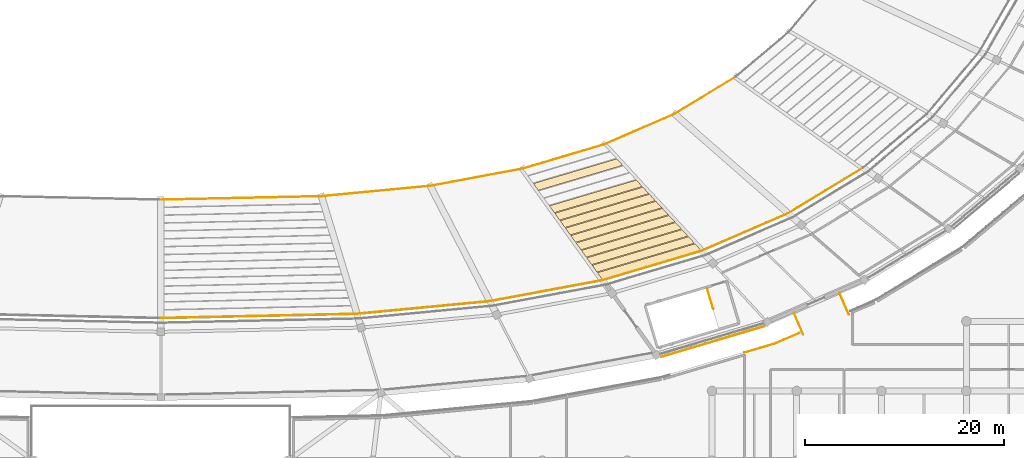
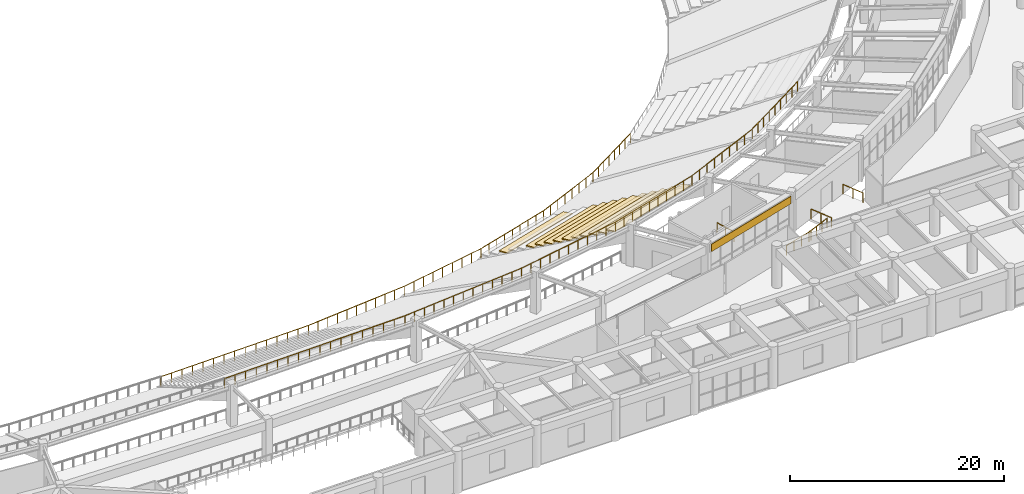
# One storey, part 124 of 137: 12 coverings, 6 railings.
"""IFC4 building model written with IfcOpenShell, lengths in metres."""

from ifc_helpers import new_model, si_unit, direction, frame, origin, origin_2d, place, context, subcontext, project, spatial, polyline, rectangle, circle, outline, extrude, material, layer, layer_set, type_object, element, save


model = new_model("IFC4")

# Units and contexts
model_context = context("Model", 3, precision=1e-05, world=origin(), true_north=direction((0.0, 1.0)))
body_context = subcontext(model_context, "Body", "Model", "MODEL_VIEW")
ifc_project = project(units=[si_unit("LENGTHUNIT", "METRE"), si_unit("AREAUNIT", "SQUARE_METRE"), si_unit("VOLUMEUNIT", "CUBIC_METRE"), si_unit("PLANEANGLEUNIT", "RADIAN"), si_unit("MASSUNIT", "GRAM", prefix="KILO")], contexts=[model_context])

# Site, building, storey
site_placement = place(None, origin())
site = spatial("IfcSite", under=ifc_project, at=site_placement, CompositionType="ELEMENT")
building_placement = place(site_placement, origin())
building = spatial("IfcBuilding", under=site, at=building_placement, Name="Mphavela Belvedere Stadium", CompositionType="ELEMENT")
storey_placement = place(building_placement, frame((0.0, 0.0, 19.199951171875)))
storey = spatial("IfcBuildingStorey", under=building, at=storey_placement, Name="L04", CompositionType="ELEMENT", Elevation=19.199951171875)

# Coverings
ifc_material_1 = material(Name="Carved classical limestone entablature frieze cladding", Category="masonry")
ifc_layer_1 = layer(ifc_material_1, 0.06005859375)
ifc_layer_set_1 = layer_set([ifc_layer_1], Name="Carved classical limestone entablature frieze cladding")
covering_type_1 = type_object("IfcCoveringType", Name="COV-FRIEZE-CLAD", PredefinedType="CLADDING", material=ifc_layer_set_1)
covering_1_placement = place(storey_placement, frame((170.46044921875, 18.94921875, 3.594970703125), z_axis=(0.0, 0.0, 1.0), x_axis=(0.958670893355, 0.284517342588, 0.0)))
element("IfcCovering", 1, at=covering_1_placement, inside=storey, type_object=covering_type_1, Name="Classical entablature frieze cladding L04-40", PredefinedType="CLADDING", context=body_context, shape_type="SweptSolid", body=[
    extrude(rectangle(XDim=10.82080078125, YDim=0.06005859375, at=origin_2d()), origin(), (0.0, 0.0, 1.0), 0.85009765625),
])
ifc_material_2 = material(Name="Precast seating row terrazzo finish", Category="concrete")
ifc_layer_2 = layer(ifc_material_2, 0.1201171875)
ifc_layer_set_2 = layer_set([ifc_layer_2], Name="Precast seating row terrazzo finish")
covering_type_2 = type_object("IfcCoveringType", Name="COV-SEAT-ROW-U", PredefinedType="FLOORING", material=ifc_layer_set_2)
covering_2_placement = place(storey_placement, frame((0.0, 0.0, -2.469970703125)))
element("IfcCovering", 2, at=covering_2_placement, inside=storey, type_object=covering_type_2, Name="Upper stand seating row bench B40-R03", PredefinedType="FLOORING", context=body_context, shape_type="SweptSolid", body=[
    extrude(outline(polyline([(152.435546875, 34.83447265625), (160.806640625, 37.3193359375), (161.40966796875, 36.665283203125), (152.92822265625, 34.14794921875), (152.435546875, 34.83447265625)])), origin(), (0.0, 0.0, 1.0), 0.1201171875),
])
covering_3_placement = place(storey_placement, frame((0.0, 0.0, -1.070068359375)))
element("IfcCovering", 3, at=covering_3_placement, inside=storey, type_object=covering_type_2, Name="Upper stand seating row bench B40-R06", PredefinedType="FLOORING", context=body_context, shape_type="SweptSolid", body=[
    extrude(outline(polyline([(154.042236328125, 32.595458984375), (162.772705078125, 35.18701171875), (163.375732421875, 34.532958984375), (154.534912109375, 31.90869140625), (154.042236328125, 32.595458984375)])), origin(), (0.0, 0.0, 1.0), 0.1201171875),
])
covering_4_placement = place(storey_placement, frame((0.0, 0.0, -0.603271484375)))
element("IfcCovering", 4, at=covering_4_placement, inside=storey, type_object=covering_type_2, Name="Upper stand seating row bench B40-R07", PredefinedType="FLOORING", context=body_context, shape_type="SweptSolid", body=[
    extrude(outline(polyline([(154.577880859375, 31.84912109375), (163.427978515625, 34.476318359375), (164.031005859375, 33.822265625), (155.070556640625, 31.16259765625), (154.577880859375, 31.84912109375)])), origin(), (0.0, 0.0, 1.0), 0.1201171875),
])
covering_5_placement = place(storey_placement, frame((0.0, 0.0, -0.13671875)))
element("IfcCovering", 5, at=covering_5_placement, inside=storey, type_object=covering_type_2, Name="Upper stand seating row bench B40-R08", PredefinedType="FLOORING", context=body_context, shape_type="SweptSolid", body=[
    extrude(outline(polyline([(155.11328125, 31.102783203125), (164.08349609375, 33.765380859375), (164.686279296875, 33.111328125), (155.606201171875, 30.416015625), (155.11328125, 31.102783203125)])), origin(), (0.0, 0.0, 1.0), 0.1201171875),
])
covering_6_placement = place(storey_placement, frame((0.0, 0.0, 0.330078125)))
element("IfcCovering", 6, at=covering_6_placement, inside=storey, type_object=covering_type_2, Name="Upper stand seating row bench B40-R09", PredefinedType="FLOORING", context=body_context, shape_type="SweptSolid", body=[
    extrude(outline(polyline([(155.64892578125, 30.3564453125), (164.739013671875, 33.0546875), (165.341796875, 32.400634765625), (156.141845703125, 29.669921875), (155.64892578125, 30.3564453125)])), origin(), (0.0, 0.0, 1.0), 0.119873046875),
])
covering_7_placement = place(storey_placement, frame((0.0, 0.0, 0.796630859375)))
element("IfcCovering", 7, at=covering_7_placement, inside=storey, type_object=covering_type_2, Name="Upper stand seating row bench B40-R10", PredefinedType="FLOORING", context=body_context, shape_type="SweptSolid", body=[
    extrude(outline(polyline([(156.1845703125, 29.610107421875), (165.394287109375, 32.34375), (165.997314453125, 31.68994140625), (156.677490234375, 28.92333984375), (156.1845703125, 29.610107421875)])), origin(), (0.0, 0.0, 1.0), 0.1201171875),
])
covering_8_placement = place(storey_placement, frame((0.0, 0.0, 1.263427734375)))
element("IfcCovering", 8, at=covering_8_placement, inside=storey, type_object=covering_type_2, Name="Upper stand seating row bench B40-R11", PredefinedType="FLOORING", context=body_context, shape_type="SweptSolid", body=[
    extrude(outline(polyline([(156.72021484375, 28.86376953125), (166.049560546875, 31.633056640625), (166.652587890625, 30.97900390625), (157.212890625, 28.177001953125), (156.72021484375, 28.86376953125)])), origin(), (0.0, 0.0, 1.0), 0.119873046875),
])
covering_9_placement = place(storey_placement, frame((0.0, 0.0, 1.72998046875)))
element("IfcCovering", 9, at=covering_9_placement, inside=storey, type_object=covering_type_2, Name="Upper stand seating row bench B40-R12", PredefinedType="FLOORING", context=body_context, shape_type="SweptSolid", body=[
    extrude(outline(polyline([(157.255859375, 28.117431640625), (166.705078125, 30.922119140625), (167.307861328125, 30.268310546875), (157.74853515625, 27.430908203125), (157.255859375, 28.117431640625)])), origin(), (0.0, 0.0, 1.0), 0.1201171875),
])
covering_10_placement = place(storey_placement, frame((0.0, 0.0, 2.19677734375)))
element("IfcCovering", 10, at=covering_10_placement, inside=storey, type_object=covering_type_2, Name="Upper stand seating row bench B40-R13", PredefinedType="FLOORING", context=body_context, shape_type="SweptSolid", body=[
    extrude(outline(polyline([(157.79150390625, 27.37109375), (167.3603515625, 30.21142578125), (167.96337890625, 29.5576171875), (158.2841796875, 26.684326171875), (157.79150390625, 27.37109375)])), origin(), (0.0, 0.0, 1.0), 0.119873046875),
])
covering_11_placement = place(storey_placement, frame((0.0, 0.0, 2.663330078125)))
element("IfcCovering", 11, at=covering_11_placement, inside=storey, type_object=covering_type_2, Name="Upper stand seating row bench B40-R14", PredefinedType="FLOORING", context=body_context, shape_type="SweptSolid", body=[
    extrude(outline(polyline([(158.326904296875, 26.624755859375), (168.015625, 29.50048828125), (168.61865234375, 28.8466796875), (158.81982421875, 25.93798828125), (158.326904296875, 26.624755859375)])), origin(), (0.0, 0.0, 1.0), 0.1201171875),
])
covering_12_placement = place(storey_placement, frame((0.0, 0.0, 3.130126953125)))
element("IfcCovering", 12, at=covering_12_placement, inside=storey, type_object=covering_type_2, Name="Upper stand seating row bench B40-R15", PredefinedType="FLOORING", context=body_context, shape_type="SweptSolid", body=[
    extrude(outline(polyline([(158.862548828125, 25.87841796875), (168.671142578125, 28.789794921875), (169.27392578125, 28.135986328125), (159.35546875, 25.191650390625), (158.862548828125, 25.87841796875)])), origin(), (0.0, 0.0, 1.0), 0.119873046875),
])

# Railings
ifc_material_3 = material(Name="Bronze and laminated glass stadium balustrade", Category="glass")
railing_type_1 = type_object("IfcRailingType", Name="RAL-BALUSTRADE-1120", PredefinedType="BALUSTRADE", material=ifc_material_3)
railing_1_placement = place(storey_placement, frame((178.602783203125, 21.84619140625, 0.0)))
element("IfcRailing", 13, at=railing_1_placement, inside=storey, type_object=railing_type_1, Name="Colonnade link bridge balustrade L04-41A", PredefinedType="BALUSTRADE", context=body_context, shape_type="SweptSolid", body=[
    extrude(circle(Radius=0.02392578125, at=origin_2d()), frame((0.0, 0.0, 1.09619140625), z_axis=(0.397677406785, -0.917525302176, 0.0), x_axis=(0.917525302176, 0.397677406785, 0.0)), (0.0, 0.0, 1.0), 2.35009765625),
    extrude(circle(Radius=0.02099609375, at=origin_2d()), origin(), (0.0, 0.0, 1.0), 1.072021484375),
    extrude(circle(Radius=0.02099609375, at=origin_2d()), frame((0.46728515625, -1.078125, 0.0)), (0.0, 0.0, 1.0), 1.072021484375),
    extrude(circle(Radius=0.02099609375, at=origin_2d()), frame((0.9345703125, -2.15625, 0.0)), (0.0, 0.0, 1.0), 1.072021484375),
])
railing_2_placement = place(storey_placement, frame((183.190185546875, 23.834716796875, 0.0)))
element("IfcRailing", 14, at=railing_2_placement, inside=storey, type_object=railing_type_1, Name="Colonnade link bridge balustrade L04-41B", PredefinedType="BALUSTRADE", context=body_context, shape_type="SweptSolid", body=[
    extrude(circle(Radius=0.02392578125, at=origin_2d()), frame((0.0, 0.0, 1.09619140625), z_axis=(0.397802772945, -0.91747095531, 0.0), x_axis=(0.91747095531, 0.397802772945, 0.0)), (0.0, 0.0, 1.0), 2.349853515625),
    extrude(circle(Radius=0.02099609375, at=origin_2d()), origin(), (0.0, 0.0, 1.0), 1.072021484375),
    extrude(circle(Radius=0.02099609375, at=origin_2d()), frame((0.46728515625, -1.078125, 0.0)), (0.0, 0.0, 1.0), 1.072021484375),
    extrude(circle(Radius=0.02099609375, at=origin_2d()), frame((0.934814453125, -2.156005859375, 0.0)), (0.0, 0.0, 1.0), 1.072021484375),
])
railing_3_placement = place(storey_placement, frame((115.0, 33.20703125, -3.75)))
element("IfcRailing", 15, at=railing_3_placement, inside=storey, type_object=railing_type_1, Name="Bowl safety balustrade t2_front S7", PredefinedType="BALUSTRADE", context=body_context, shape_type="SweptSolid", body=[
    extrude(circle(Radius=0.02392578125, at=origin_2d()), frame((0.0, 0.0, 1.09619140625), z_axis=(0.999768322215, 0.021524448774, 0.0), x_axis=(-0.021524448774, 0.999768322215, 0.0)), (0.0, 0.0, 1.0), 16.151611328125),
    extrude(circle(Radius=0.02392578125, at=origin_2d()), frame((16.14794921875, 0.34765625, 1.09619140625), z_axis=(0.995484465186, 0.094924599412, 0.0), x_axis=(-0.094924599412, 0.995484465186, 0.0)), (0.0, 0.0, 1.0), 10.971923828125),
    extrude(circle(Radius=0.02392578125, at=origin_2d()), frame((27.0703125, 1.38916015625, 1.09619140625), z_axis=(0.983094824356, 0.18309714996, 0.0), x_axis=(-0.18309714996, 0.983094824356, 0.0)), (0.0, 0.0, 1.0), 9.453857421875),
    extrude(circle(Radius=0.02392578125, at=origin_2d()), frame((36.3642578125, 3.1201171875, 1.09619140625), z_axis=(0.958654841276, 0.284571423896, 0.0), x_axis=(-0.284571423896, 0.958654841276, 0.0)), (0.0, 0.0, 1.0), 8.482177734375),
    extrude(circle(Radius=0.02392578125, at=origin_2d()), frame((44.495849609375, 5.533935546875, 1.09619140625), z_axis=(0.917506303716, 0.397721237353, 0.0), x_axis=(-0.397721237353, 0.917506303716, 0.0)), (0.0, 0.0, 1.0), 7.766357421875),
    extrude(circle(Radius=0.02392578125, at=origin_2d()), frame((51.62158203125, 8.622802734375, 1.09619140625), z_axis=(0.854327633962, 0.519734830321, 0.0), x_axis=(-0.519734830321, 0.854327633962, 0.0)), (0.0, 0.0, 1.0), 7.230224609375),
    extrude(circle(Radius=0.02099609375, at=origin_2d()), origin(), (0.0, 0.0, 1.0), 1.072021484375),
    extrude(circle(Radius=0.02099609375, at=origin_2d()), frame((1.1533203125, 0.02490234375, 0.0)), (0.0, 0.0, 1.0), 1.072021484375),
    extrude(circle(Radius=0.02099609375, at=origin_2d()), frame((2.306884765625, 0.049560546875, 0.0)), (0.0, 0.0, 1.0), 1.072021484375),
    extrude(circle(Radius=0.02099609375, at=origin_2d()), frame((3.460205078125, 0.074462890625, 0.0)), (0.0, 0.0, 1.0), 1.072021484375),
    extrude(circle(Radius=0.02099609375, at=origin_2d()), frame((4.61376953125, 0.099365234375, 0.0)), (0.0, 0.0, 1.0), 1.072021484375),
    extrude(circle(Radius=0.02099609375, at=origin_2d()), frame((5.76708984375, 0.124267578125, 0.0)), (0.0, 0.0, 1.0), 1.072021484375),
    extrude(circle(Radius=0.02099609375, at=origin_2d()), frame((6.920654296875, 0.14892578125, 0.0)), (0.0, 0.0, 1.0), 1.072021484375),
    extrude(circle(Radius=0.02099609375, at=origin_2d()), frame((8.073974609375, 0.173828125, 0.0)), (0.0, 0.0, 1.0), 1.072021484375),
    extrude(circle(Radius=0.02099609375, at=origin_2d()), frame((9.227294921875, 0.19873046875, 0.0)), (0.0, 0.0, 1.0), 1.072021484375),
    extrude(circle(Radius=0.02099609375, at=origin_2d()), frame((10.380859375, 0.223388671875, 0.0)), (0.0, 0.0, 1.0), 1.072021484375),
    extrude(circle(Radius=0.02099609375, at=origin_2d()), frame((11.5341796875, 0.248291015625, 0.0)), (0.0, 0.0, 1.0), 1.072021484375),
    extrude(circle(Radius=0.02099609375, at=origin_2d()), frame((12.687744140625, 0.273193359375, 0.0)), (0.0, 0.0, 1.0), 1.072021484375),
    extrude(circle(Radius=0.02099609375, at=origin_2d()), frame((13.841064453125, 0.298095703125, 0.0)), (0.0, 0.0, 1.0), 1.072021484375),
    extrude(circle(Radius=0.02099609375, at=origin_2d()), frame((14.99462890625, 0.32275390625, 0.0)), (0.0, 0.0, 1.0), 1.072021484375),
    extrude(circle(Radius=0.02099609375, at=origin_2d()), frame((16.14794921875, 0.34765625, 0.0)), (0.0, 0.0, 1.0), 1.072021484375),
    extrude(circle(Radius=0.02099609375, at=origin_2d()), frame((17.240234375, 0.451904296875, 0.0)), (0.0, 0.0, 1.0), 1.072021484375),
    extrude(circle(Radius=0.02099609375, at=origin_2d()), frame((18.33251953125, 0.555908203125, 0.0)), (0.0, 0.0, 1.0), 1.072021484375),
    extrude(circle(Radius=0.02099609375, at=origin_2d()), frame((19.424560546875, 0.66015625, 0.0)), (0.0, 0.0, 1.0), 1.072021484375),
    extrude(circle(Radius=0.02099609375, at=origin_2d()), frame((20.516845703125, 0.76416015625, 0.0)), (0.0, 0.0, 1.0), 1.072021484375),
    extrude(circle(Radius=0.02099609375, at=origin_2d()), frame((21.609130859375, 0.868408203125, 0.0)), (0.0, 0.0, 1.0), 1.072021484375),
    extrude(circle(Radius=0.02099609375, at=origin_2d()), frame((22.701416015625, 0.97265625, 0.0)), (0.0, 0.0, 1.0), 1.072021484375),
    extrude(circle(Radius=0.02099609375, at=origin_2d()), frame((23.793701171875, 1.07666015625, 0.0)), (0.0, 0.0, 1.0), 1.072021484375),
    extrude(circle(Radius=0.02099609375, at=origin_2d()), frame((24.8857421875, 1.180908203125, 0.0)), (0.0, 0.0, 1.0), 1.072021484375),
    extrude(circle(Radius=0.02099609375, at=origin_2d()), frame((25.97802734375, 1.284912109375, 0.0)), (0.0, 0.0, 1.0), 1.072021484375),
    extrude(circle(Radius=0.02099609375, at=origin_2d()), frame((27.0703125, 1.38916015625, 0.0)), (0.0, 0.0, 1.0), 1.072021484375),
    extrude(circle(Radius=0.02099609375, at=origin_2d()), frame((28.23193359375, 1.60546875, 0.0)), (0.0, 0.0, 1.0), 1.072021484375),
    extrude(circle(Radius=0.02099609375, at=origin_2d()), frame((29.393798828125, 1.82177734375, 0.0)), (0.0, 0.0, 1.0), 1.072021484375),
    extrude(circle(Radius=0.02099609375, at=origin_2d()), frame((30.5556640625, 2.038330078125, 0.0)), (0.0, 0.0, 1.0), 1.072021484375),
    extrude(circle(Radius=0.02099609375, at=origin_2d()), frame((31.71728515625, 2.254638671875, 0.0)), (0.0, 0.0, 1.0), 1.072021484375),
    extrude(circle(Radius=0.02099609375, at=origin_2d()), frame((32.87890625, 2.470947265625, 0.0)), (0.0, 0.0, 1.0), 1.072021484375),
    extrude(circle(Radius=0.02099609375, at=origin_2d()), frame((34.040771484375, 2.6875, 0.0)), (0.0, 0.0, 1.0), 1.072021484375),
    extrude(circle(Radius=0.02099609375, at=origin_2d()), frame((35.20263671875, 2.90380859375, 0.0)), (0.0, 0.0, 1.0), 1.072021484375),
    extrude(circle(Radius=0.02099609375, at=origin_2d()), frame((36.3642578125, 3.1201171875, 0.0)), (0.0, 0.0, 1.0), 1.072021484375),
    extrude(circle(Radius=0.02099609375, at=origin_2d()), frame((37.380615234375, 3.421875, 0.0)), (0.0, 0.0, 1.0), 1.072021484375),
    extrude(circle(Radius=0.02099609375, at=origin_2d()), frame((38.397216796875, 3.7236328125, 0.0)), (0.0, 0.0, 1.0), 1.072021484375),
    extrude(circle(Radius=0.02099609375, at=origin_2d()), frame((39.41357421875, 4.025390625, 0.0)), (0.0, 0.0, 1.0), 1.072021484375),
    extrude(circle(Radius=0.02099609375, at=origin_2d()), frame((40.43017578125, 4.3271484375, 0.0)), (0.0, 0.0, 1.0), 1.072021484375),
    extrude(circle(Radius=0.02099609375, at=origin_2d()), frame((41.446533203125, 4.628662109375, 0.0)), (0.0, 0.0, 1.0), 1.072021484375),
    extrude(circle(Radius=0.02099609375, at=origin_2d()), frame((42.462890625, 4.930419921875, 0.0)), (0.0, 0.0, 1.0), 1.072021484375),
    extrude(circle(Radius=0.02099609375, at=origin_2d()), frame((43.4794921875, 5.232177734375, 0.0)), (0.0, 0.0, 1.0), 1.072021484375),
    extrude(circle(Radius=0.02099609375, at=origin_2d()), frame((44.495849609375, 5.533935546875, 0.0)), (0.0, 0.0, 1.0), 1.072021484375),
    extrude(circle(Radius=0.02099609375, at=origin_2d()), frame((45.513916015625, 5.97509765625, 0.0)), (0.0, 0.0, 1.0), 1.072021484375),
    extrude(circle(Radius=0.02099609375, at=origin_2d()), frame((46.53173828125, 6.41650390625, 0.0)), (0.0, 0.0, 1.0), 1.072021484375),
    extrude(circle(Radius=0.02099609375, at=origin_2d()), frame((47.5498046875, 6.857666015625, 0.0)), (0.0, 0.0, 1.0), 1.072021484375),
    extrude(circle(Radius=0.02099609375, at=origin_2d()), frame((48.567626953125, 7.299072265625, 0.0)), (0.0, 0.0, 1.0), 1.072021484375),
    extrude(circle(Radius=0.02099609375, at=origin_2d()), frame((49.585693359375, 7.740234375, 0.0)), (0.0, 0.0, 1.0), 1.072021484375),
    extrude(circle(Radius=0.02099609375, at=origin_2d()), frame((50.603515625, 8.181640625, 0.0)), (0.0, 0.0, 1.0), 1.072021484375),
    extrude(circle(Radius=0.02099609375, at=origin_2d()), frame((51.62158203125, 8.622802734375, 0.0)), (0.0, 0.0, 1.0), 1.072021484375),
    extrude(circle(Radius=0.02099609375, at=origin_2d()), frame((52.50390625, 9.15966796875, 0.0)), (0.0, 0.0, 1.0), 1.072021484375),
    extrude(circle(Radius=0.02099609375, at=origin_2d()), frame((53.386474609375, 9.696533203125, 0.0)), (0.0, 0.0, 1.0), 1.072021484375),
    extrude(circle(Radius=0.02099609375, at=origin_2d()), frame((54.268798828125, 10.2333984375, 0.0)), (0.0, 0.0, 1.0), 1.072021484375),
    extrude(circle(Radius=0.02099609375, at=origin_2d()), frame((55.1513671875, 10.77001953125, 0.0)), (0.0, 0.0, 1.0), 1.072021484375),
    extrude(circle(Radius=0.02099609375, at=origin_2d()), frame((56.03369140625, 11.306884765625, 0.0)), (0.0, 0.0, 1.0), 1.072021484375),
    extrude(circle(Radius=0.02099609375, at=origin_2d()), frame((56.916259765625, 11.84375, 0.0)), (0.0, 0.0, 1.0), 1.072021484375),
    extrude(circle(Radius=0.02099609375, at=origin_2d()), frame((57.798583984375, 12.380615234375, 0.0)), (0.0, 0.0, 1.0), 1.072021484375),
])
railing_4_placement = place(storey_placement, frame((115.0, 21.322509765625, 3.25)))
element("IfcRailing", 16, at=railing_4_placement, inside=storey, type_object=railing_type_1, Name="Bowl safety balustrade t2_rear S7", PredefinedType="BALUSTRADE", context=body_context, shape_type="SweptSolid", body=[
    extrude(circle(Radius=0.02392578125, at=origin_2d()), frame((0.0, 0.0, 1.09619140625), z_axis=(0.999768212471, 0.021529545552, 0.0), x_axis=(-0.021529545552, 0.999768212471, 0.0)), (0.0, 0.0, 1.0), 19.719970703125),
    extrude(circle(Radius=0.02392578125, at=origin_2d()), frame((19.71533203125, 0.424560546875, 1.09619140625), z_axis=(0.995485310034, 0.094915738982, 0.0), x_axis=(-0.094915738982, 0.995485310034, 0.0)), (0.0, 0.0, 1.0), 13.39599609375),
    extrude(circle(Radius=0.02392578125, at=origin_2d()), frame((33.05078125, 1.696044921875, 1.09619140625), z_axis=(0.983092967472, 0.183107119762, 0.0), x_axis=(-0.183107119762, 0.983092967472, 0.0)), (0.0, 0.0, 1.0), 11.54248046875),
    extrude(circle(Radius=0.02392578125, at=origin_2d()), frame((44.398193359375, 3.8095703125, 1.09619140625), z_axis=(0.958657919972, 0.284561052279, 0.0), x_axis=(-0.284561052279, 0.958657919972, 0.0)), (0.0, 0.0, 1.0), 10.3564453125),
    extrude(circle(Radius=0.02392578125, at=origin_2d()), frame((54.326416015625, 6.756591796875, 1.09619140625), z_axis=(0.917507086271, 0.397719432065, 0.0), x_axis=(-0.397719432065, 0.917507086271, 0.0)), (0.0, 0.0, 1.0), 9.482177734375),
    extrude(circle(Radius=0.02392578125, at=origin_2d()), frame((63.0263671875, 10.52783203125, 1.09619140625), z_axis=(0.85431656111, 0.519753031173, 0.0), x_axis=(-0.519753031173, 0.85431656111, 0.0)), (0.0, 0.0, 1.0), 8.82763671875),
    extrude(circle(Radius=0.02099609375, at=origin_2d()), origin(), (0.0, 0.0, 1.0), 1.072021484375),
    extrude(circle(Radius=0.02099609375, at=origin_2d()), frame((1.15966796875, 0.02490234375, 0.0)), (0.0, 0.0, 1.0), 1.072021484375),
    extrude(circle(Radius=0.02099609375, at=origin_2d()), frame((2.3193359375, 0.050048828125, 0.0)), (0.0, 0.0, 1.0), 1.072021484375),
    extrude(circle(Radius=0.02099609375, at=origin_2d()), frame((3.479248046875, 0.074951171875, 0.0)), (0.0, 0.0, 1.0), 1.072021484375),
    extrude(circle(Radius=0.02099609375, at=origin_2d()), frame((4.638916015625, 0.099853515625, 0.0)), (0.0, 0.0, 1.0), 1.072021484375),
    extrude(circle(Radius=0.02099609375, at=origin_2d()), frame((5.798583984375, 0.124755859375, 0.0)), (0.0, 0.0, 1.0), 1.072021484375),
    extrude(circle(Radius=0.02099609375, at=origin_2d()), frame((6.958251953125, 0.14990234375, 0.0)), (0.0, 0.0, 1.0), 1.072021484375),
    extrude(circle(Radius=0.02099609375, at=origin_2d()), frame((8.1181640625, 0.1748046875, 0.0)), (0.0, 0.0, 1.0), 1.072021484375),
    extrude(circle(Radius=0.02099609375, at=origin_2d()), frame((9.27783203125, 0.19970703125, 0.0)), (0.0, 0.0, 1.0), 1.072021484375),
    extrude(circle(Radius=0.02099609375, at=origin_2d()), frame((10.4375, 0.224853515625, 0.0)), (0.0, 0.0, 1.0), 1.072021484375),
    extrude(circle(Radius=0.02099609375, at=origin_2d()), frame((11.59716796875, 0.249755859375, 0.0)), (0.0, 0.0, 1.0), 1.072021484375),
    extrude(circle(Radius=0.02099609375, at=origin_2d()), frame((12.757080078125, 0.274658203125, 0.0)), (0.0, 0.0, 1.0), 1.072021484375),
    extrude(circle(Radius=0.02099609375, at=origin_2d()), frame((13.916748046875, 0.2998046875, 0.0)), (0.0, 0.0, 1.0), 1.072021484375),
    extrude(circle(Radius=0.02099609375, at=origin_2d()), frame((15.076416015625, 0.32470703125, 0.0)), (0.0, 0.0, 1.0), 1.072021484375),
    extrude(circle(Radius=0.02099609375, at=origin_2d()), frame((16.236083984375, 0.349609375, 0.0)), (0.0, 0.0, 1.0), 1.072021484375),
    extrude(circle(Radius=0.02099609375, at=origin_2d()), frame((17.39599609375, 0.37451171875, 0.0)), (0.0, 0.0, 1.0), 1.072021484375),
    extrude(circle(Radius=0.02099609375, at=origin_2d()), frame((18.5556640625, 0.399658203125, 0.0)), (0.0, 0.0, 1.0), 1.072021484375),
    extrude(circle(Radius=0.02099609375, at=origin_2d()), frame((19.71533203125, 0.424560546875, 0.0)), (0.0, 0.0, 1.0), 1.072021484375),
    extrude(circle(Radius=0.02099609375, at=origin_2d()), frame((20.82666015625, 0.530517578125, 0.0)), (0.0, 0.0, 1.0), 1.072021484375),
    extrude(circle(Radius=0.02099609375, at=origin_2d()), frame((21.93798828125, 0.636474609375, 0.0)), (0.0, 0.0, 1.0), 1.072021484375),
    extrude(circle(Radius=0.02099609375, at=origin_2d()), frame((23.04931640625, 0.742431640625, 0.0)), (0.0, 0.0, 1.0), 1.072021484375),
    extrude(circle(Radius=0.02099609375, at=origin_2d()), frame((24.160400390625, 0.848388671875, 0.0)), (0.0, 0.0, 1.0), 1.072021484375),
    extrude(circle(Radius=0.02099609375, at=origin_2d()), frame((25.271728515625, 0.954345703125, 0.0)), (0.0, 0.0, 1.0), 1.072021484375),
    extrude(circle(Radius=0.02099609375, at=origin_2d()), frame((26.383056640625, 1.060302734375, 0.0)), (0.0, 0.0, 1.0), 1.072021484375),
    extrude(circle(Radius=0.02099609375, at=origin_2d()), frame((27.494384765625, 1.166259765625, 0.0)), (0.0, 0.0, 1.0), 1.072021484375),
    extrude(circle(Radius=0.02099609375, at=origin_2d()), frame((28.605712890625, 1.272216796875, 0.0)), (0.0, 0.0, 1.0), 1.072021484375),
    extrude(circle(Radius=0.02099609375, at=origin_2d()), frame((29.716796875, 1.378173828125, 0.0)), (0.0, 0.0, 1.0), 1.072021484375),
    extrude(circle(Radius=0.02099609375, at=origin_2d()), frame((30.828125, 1.484130859375, 0.0)), (0.0, 0.0, 1.0), 1.072021484375),
    extrude(circle(Radius=0.02099609375, at=origin_2d()), frame((31.939453125, 1.590087890625, 0.0)), (0.0, 0.0, 1.0), 1.072021484375),
    extrude(circle(Radius=0.02099609375, at=origin_2d()), frame((33.05078125, 1.696044921875, 0.0)), (0.0, 0.0, 1.0), 1.072021484375),
    extrude(circle(Radius=0.02099609375, at=origin_2d()), frame((34.185546875, 1.907470703125, 0.0)), (0.0, 0.0, 1.0), 1.072021484375),
    extrude(circle(Radius=0.02099609375, at=origin_2d()), frame((35.3203125, 2.11865234375, 0.0)), (0.0, 0.0, 1.0), 1.072021484375),
    extrude(circle(Radius=0.02099609375, at=origin_2d()), frame((36.455078125, 2.330078125, 0.0)), (0.0, 0.0, 1.0), 1.072021484375),
    extrude(circle(Radius=0.02099609375, at=origin_2d()), frame((37.58984375, 2.54150390625, 0.0)), (0.0, 0.0, 1.0), 1.072021484375),
    extrude(circle(Radius=0.02099609375, at=origin_2d()), frame((38.724609375, 2.7529296875, 0.0)), (0.0, 0.0, 1.0), 1.072021484375),
    extrude(circle(Radius=0.02099609375, at=origin_2d()), frame((39.859130859375, 2.964111328125, 0.0)), (0.0, 0.0, 1.0), 1.072021484375),
    extrude(circle(Radius=0.02099609375, at=origin_2d()), frame((40.993896484375, 3.175537109375, 0.0)), (0.0, 0.0, 1.0), 1.072021484375),
    extrude(circle(Radius=0.02099609375, at=origin_2d()), frame((42.128662109375, 3.386962890625, 0.0)), (0.0, 0.0, 1.0), 1.072021484375),
    extrude(circle(Radius=0.02099609375, at=origin_2d()), frame((43.263427734375, 3.59814453125, 0.0)), (0.0, 0.0, 1.0), 1.072021484375),
    extrude(circle(Radius=0.02099609375, at=origin_2d()), frame((44.398193359375, 3.8095703125, 0.0)), (0.0, 0.0, 1.0), 1.072021484375),
    extrude(circle(Radius=0.02099609375, at=origin_2d()), frame((45.501220703125, 4.136962890625, 0.0)), (0.0, 0.0, 1.0), 1.072021484375),
    extrude(circle(Radius=0.02099609375, at=origin_2d()), frame((46.6044921875, 4.46435546875, 0.0)), (0.0, 0.0, 1.0), 1.072021484375),
    extrude(circle(Radius=0.02099609375, at=origin_2d()), frame((47.70751953125, 4.7919921875, 0.0)), (0.0, 0.0, 1.0), 1.072021484375),
    extrude(circle(Radius=0.02099609375, at=origin_2d()), frame((48.810791015625, 5.119384765625, 0.0)), (0.0, 0.0, 1.0), 1.072021484375),
    extrude(circle(Radius=0.02099609375, at=origin_2d()), frame((49.913818359375, 5.44677734375, 0.0)), (0.0, 0.0, 1.0), 1.072021484375),
    extrude(circle(Radius=0.02099609375, at=origin_2d()), frame((51.01708984375, 5.774169921875, 0.0)), (0.0, 0.0, 1.0), 1.072021484375),
    extrude(circle(Radius=0.02099609375, at=origin_2d()), frame((52.1201171875, 6.101806640625, 0.0)), (0.0, 0.0, 1.0), 1.072021484375),
    extrude(circle(Radius=0.02099609375, at=origin_2d()), frame((53.223388671875, 6.42919921875, 0.0)), (0.0, 0.0, 1.0), 1.072021484375),
    extrude(circle(Radius=0.02099609375, at=origin_2d()), frame((54.326416015625, 6.756591796875, 0.0)), (0.0, 0.0, 1.0), 1.072021484375),
    extrude(circle(Radius=0.02099609375, at=origin_2d()), frame((55.413818359375, 7.22802734375, 0.0)), (0.0, 0.0, 1.0), 1.072021484375),
    extrude(circle(Radius=0.02099609375, at=origin_2d()), frame((56.50146484375, 7.699462890625, 0.0)), (0.0, 0.0, 1.0), 1.072021484375),
    extrude(circle(Radius=0.02099609375, at=origin_2d()), frame((57.5888671875, 8.1708984375, 0.0)), (0.0, 0.0, 1.0), 1.072021484375),
    extrude(circle(Radius=0.02099609375, at=origin_2d()), frame((58.67626953125, 8.64208984375, 0.0)), (0.0, 0.0, 1.0), 1.072021484375),
    extrude(circle(Radius=0.02099609375, at=origin_2d()), frame((59.763916015625, 9.113525390625, 0.0)), (0.0, 0.0, 1.0), 1.072021484375),
    extrude(circle(Radius=0.02099609375, at=origin_2d()), frame((60.851318359375, 9.5849609375, 0.0)), (0.0, 0.0, 1.0), 1.072021484375),
    extrude(circle(Radius=0.02099609375, at=origin_2d()), frame((61.93896484375, 10.056396484375, 0.0)), (0.0, 0.0, 1.0), 1.072021484375),
    extrude(circle(Radius=0.02099609375, at=origin_2d()), frame((63.0263671875, 10.52783203125, 0.0)), (0.0, 0.0, 1.0), 1.072021484375),
    extrude(circle(Radius=0.02099609375, at=origin_2d()), frame((63.968994140625, 11.101318359375, 0.0)), (0.0, 0.0, 1.0), 1.072021484375),
    extrude(circle(Radius=0.02099609375, at=origin_2d()), frame((64.91162109375, 11.6748046875, 0.0)), (0.0, 0.0, 1.0), 1.072021484375),
    extrude(circle(Radius=0.02099609375, at=origin_2d()), frame((65.8544921875, 12.248291015625, 0.0)), (0.0, 0.0, 1.0), 1.072021484375),
    extrude(circle(Radius=0.02099609375, at=origin_2d()), frame((66.797119140625, 12.82177734375, 0.0)), (0.0, 0.0, 1.0), 1.072021484375),
    extrude(circle(Radius=0.02099609375, at=origin_2d()), frame((67.73974609375, 13.3955078125, 0.0)), (0.0, 0.0, 1.0), 1.072021484375),
    extrude(circle(Radius=0.02099609375, at=origin_2d()), frame((68.6826171875, 13.968994140625, 0.0)), (0.0, 0.0, 1.0), 1.072021484375),
    extrude(circle(Radius=0.02099609375, at=origin_2d()), frame((69.625244140625, 14.54248046875, 0.0)), (0.0, 0.0, 1.0), 1.072021484375),
    extrude(circle(Radius=0.02099609375, at=origin_2d()), frame((70.56787109375, 15.115966796875, 0.0)), (0.0, 0.0, 1.0), 1.072021484375),
])
railing_5_placement = place(storey_placement, frame((173.6171875, 17.841796875, 0.0)))
element("IfcRailing", 17, at=railing_5_placement, inside=storey, type_object=railing_type_1, Name="Peristyle wing gallery edge balustrade L04-06", PredefinedType="BALUSTRADE", context=body_context, shape_type="SweptSolid", body=[
    extrude(circle(Radius=0.02392578125, at=origin_2d()), frame((0.0, 0.0, 1.09619140625), z_axis=(0.958645524177, 0.284602809148, 0.0), x_axis=(-0.284602809148, 0.958645524177, 0.0)), (0.0, 0.0, 1.0), 3.101806640625),
    extrude(circle(Radius=0.02392578125, at=origin_2d()), frame((2.9736328125, 0.8828125, 1.09619140625), z_axis=(0.939740596708, 0.341888301786, 0.0), x_axis=(-0.341888301786, 0.939740596708, 0.0)), (0.0, 0.0, 1.0), 0.27001953125),
    extrude(circle(Radius=0.02392578125, at=origin_2d()), frame((3.227294921875, 0.97509765625, 1.09619140625), z_axis=(0.917490104343, 0.397758605731, 0.0), x_axis=(-0.397758605731, 0.917490104343, 0.0)), (0.0, 0.0, 1.0), 2.5380859375),
    extrude(circle(Radius=0.02099609375, at=origin_2d()), origin(), (0.0, 0.0, 1.0), 1.072021484375),
    extrude(circle(Radius=0.02099609375, at=origin_2d()), frame((0.9912109375, 0.294189453125, 0.0)), (0.0, 0.0, 1.0), 1.072021484375),
    extrude(circle(Radius=0.02099609375, at=origin_2d()), frame((1.982421875, 0.588623046875, 0.0)), (0.0, 0.0, 1.0), 1.072021484375),
    extrude(circle(Radius=0.02099609375, at=origin_2d()), frame((2.9736328125, 0.8828125, 0.0)), (0.0, 0.0, 1.0), 1.072021484375),
    extrude(circle(Radius=0.02099609375, at=origin_2d()), frame((3.227294921875, 0.97509765625, 0.0)), (0.0, 0.0, 1.0), 1.072021484375),
    extrude(circle(Radius=0.02099609375, at=origin_2d()), frame((4.00341796875, 1.3115234375, 0.0)), (0.0, 0.0, 1.0), 1.072021484375),
    extrude(circle(Radius=0.02099609375, at=origin_2d()), frame((4.77978515625, 1.648193359375, 0.0)), (0.0, 0.0, 1.0), 1.072021484375),
    extrude(circle(Radius=0.02099609375, at=origin_2d()), frame((5.555908203125, 1.984619140625, 0.0)), (0.0, 0.0, 1.0), 1.072021484375),
])
ifc_material_4 = material(Name="Painted galvanised steel stair guardrail", Category="steel")
railing_type_2 = type_object("IfcRailingType", Name="RAL-GUARD-1120", PredefinedType="GUARDRAIL", material=ifc_material_4)
railing_6_placement = place(storey_placement, frame((169.887451171875, 24.3154296875, 0.0)))
element("IfcRailing", 18, at=railing_6_placement, inside=storey, type_object=railing_type_2, Name="L04 ST-P04 top well guard 1", PredefinedType="GUARDRAIL", context=body_context, shape_type="SweptSolid", body=[
    extrude(circle(Radius=0.02392578125, at=origin_2d()), frame((0.0, 0.0, 1.09619140625), z_axis=(0.28452881993, -0.958667486999, 0.0), x_axis=(0.958667486999, 0.28452881993, 0.0)), (0.0, 0.0, 1.0), 2.169921875),
    extrude(circle(Radius=0.02099609375, at=origin_2d()), origin(), (0.0, 0.0, 1.0), 1.072021484375),
    extrude(circle(Radius=0.02099609375, at=origin_2d()), frame((0.30859375, -1.0400390625, 0.0)), (0.0, 0.0, 1.0), 1.072021484375),
    extrude(circle(Radius=0.02099609375, at=origin_2d()), frame((0.617431640625, -2.080322265625, 0.0)), (0.0, 0.0, 1.0), 1.072021484375),
])

save(model, "model.ifc")
